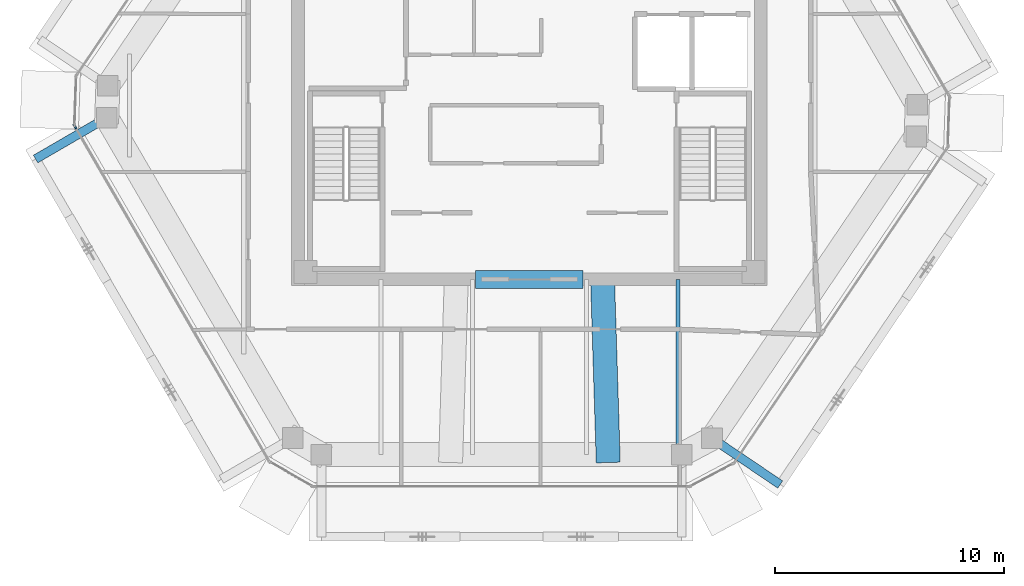
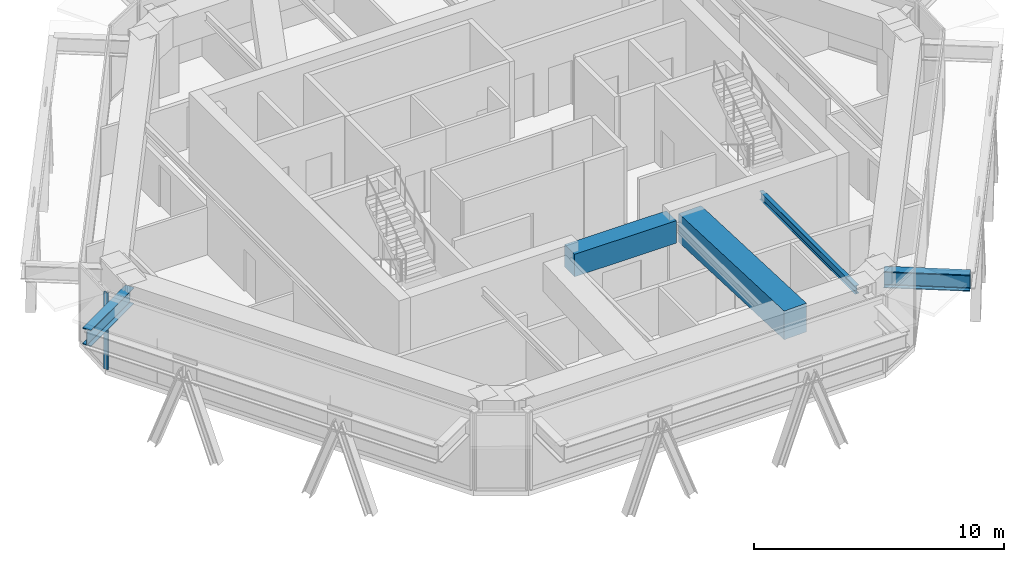
# One storey, part 3 of 13: 5 beams, 1 member, 1 element without a shape of its own.
"""IFC4 building model written with IfcOpenShell, lengths in metres."""

from ifc_helpers import new_model, si_unit, direction, frame, origin, origin_2d, place, context, subcontext, project, spatial, rectangle, i_section, extrude, source, transform, mapped, material, layer, layer_set, material_profile, profile_set, type_object, type_shapes, element, aggregate, save


model = new_model("IFC4")

# Units and contexts
model_context = context("Model", 3, precision=1e-05, world=origin(), true_north=direction((0.0, 1.0)))
body_context = subcontext(model_context, "Body", "Model", "MODEL_VIEW")
ifc_project = project(units=[si_unit("LENGTHUNIT", "METRE"), si_unit("AREAUNIT", "SQUARE_METRE"), si_unit("VOLUMEUNIT", "CUBIC_METRE"), si_unit("PLANEANGLEUNIT", "RADIAN"), si_unit("MASSUNIT", "GRAM", prefix="KILO")], contexts=[model_context])

# Site, building, storey
site_placement = place(None, origin())
site = spatial("IfcSite", under=ifc_project, at=site_placement, CompositionType="ELEMENT")
building_placement = place(site_placement, origin())
building = spatial("IfcBuilding", under=site, at=building_placement, Name="Durnholm Broadcast Tower", CompositionType="ELEMENT")
storey_placement = place(building_placement, frame((0.0, 0.0, 268.300048828125)))
storey = spatial("IfcBuildingStorey", under=building, at=storey_placement, Name="L75", CompositionType="ELEMENT", Elevation=268.300048828125)

# Beams
ifc_material_1 = material(Name="Steel ASTM A992 Grade 50", Category="steel")
ifc_material_profile_1 = material_profile(ifc_material_1, i_section(OverallWidth=0.385009765625, OverallDepth=0.802978515625, WebThickness=0.023681640625, FlangeThickness=0.0419921875, FilletRadius=0.032958984375, at=origin_2d()), Name="W30X261")
ifc_profile_set_1 = profile_set([ifc_material_profile_1], Name="Steel ASTM A992 Grade 50")
beam_type_1 = type_object("IfcBeamType", Name="BM-EXO-TIE", PredefinedType="USERDEFINED", material=ifc_profile_set_1)
shared_shape_1 = source(origin(), body_context, "Body", "SweptSolid", [
    extrude(i_section(OverallWidth=0.385009765625, OverallDepth=0.802978515625, WebThickness=0.023681640625, FlangeThickness=0.0419921875, FilletRadius=0.032958984375, at=origin_2d()), origin(), (0.0, 0.0, 1.0), 3.4560546875),
])
type_shapes(beam_type_1, [shared_shape_1])
for number, where, z_axis, x_axis, name in (
    (1, (8.110107421875, -15.161865234375, 2.99853515625), (0.828468499792, -0.560035663911, 0.0), (0.560035663911, 0.828468499792, 0.0), "L75 exoskeleton stand-off tie bracket F2.1"),
    (2, (-18.618896484375, -1.1201171875, 2.99853515625), (-0.864876013532, -0.501985538852, 0.0), (0.501985538852, -0.864876013532, 0.0), "L75 exoskeleton stand-off tie bracket F6.1"),
):
    element("IfcBeam", number, at=place(storey_placement, frame(where, z_axis=z_axis, x_axis=x_axis)), inside=storey, type_object=beam_type_1, Name=name, ObjectType="GIRDER", PredefinedType="USERDEFINED", context=body_context, shape_type="MappedRepresentation", body=[
        mapped(shared_shape_1, transform((0.0, 0.0, 0.0), x_axis=(1.0, 0.0, 0.0), y_axis=(0.0, 1.0, 0.0), z_axis=(0.0, 0.0, 1.0), scale=1.0)),
    ])
ifc_material_2 = material(Name="Concrete C70/85", Category="concrete")
ifc_material_profile_2 = material_profile(ifc_material_2, rectangle(XDim=0.800048828125, YDim=1.10009765625, at=origin_2d()), Name="RC800X1100")
ifc_profile_set_2 = profile_set([ifc_material_profile_2], Name="Concrete C70/85")
beam_type_2 = type_object("IfcBeamType", Name="BM-CB-RC1100", PredefinedType="LINTEL", material=ifc_profile_set_2)
shared_shape_2 = source(origin(), body_context, "Body", "SweptSolid", [
    extrude(rectangle(XDim=0.800048828125, YDim=1.10009765625, at=origin_2d()), origin(), (0.0, 0.0, 1.0), 4.7001953125),
])
type_shapes(beam_type_2, [shared_shape_2])
beam_1_placement = place(storey_placement, frame((-2.35009765625, -8.125, 3.195068359375), z_axis=(1.0, 0.0, 0.0), x_axis=(0.0, 1.0, 0.0)))
element("IfcBeam", 3, at=beam_1_placement, inside=storey, type_object=beam_type_2, Name="L75 south core coupling lintel beam CB-S", PredefinedType="LINTEL", context=body_context, shape_type="MappedRepresentation", body=[
    mapped(shared_shape_2, transform((0.0, 0.0, 0.0), x_axis=(1.0, 0.0, 0.0), y_axis=(0.0, 1.0, 0.0), z_axis=(0.0, 0.0, 1.0), scale=1.0)),
])
ifc_material_profile_3 = material_profile(ifc_material_1, i_section(OverallWidth=0.177734375, OverallDepth=0.40673828125, WebThickness=0.0078125, FlangeThickness=0.0126953125, FilletRadius=0.01904296875, at=origin_2d()), Name="W16X40")
ifc_profile_set_3 = profile_set([ifc_material_profile_3], Name="Steel ASTM A992 Grade 50")
beam_type_3 = type_object("IfcBeamType", Name="STL-BJ-W16X40", PredefinedType="JOIST", material=ifc_profile_set_3)
shared_shape_3 = source(origin(), body_context, "Body", "SweptSolid", [
    extrude(i_section(OverallWidth=0.177734375, OverallDepth=0.40673828125, WebThickness=0.0078125, FlangeThickness=0.0126953125, FilletRadius=0.01904296875, at=origin_2d()), origin(), (0.0, 0.0, 1.0), 7.660888671875),
])
type_shapes(beam_type_3, [shared_shape_3])
beam_2_placement = place(storey_placement, frame((6.5, -15.785888671875, 3.32666015625), z_axis=(0.0, 1.0, 0.0), x_axis=(-1.0, 0.0, 0.0)))
element("IfcBeam", 4, at=beam_2_placement, inside=storey, type_object=beam_type_3, Name="L75 secondary floor joist 7.1", PredefinedType="JOIST", context=body_context, shape_type="MappedRepresentation", body=[
    mapped(shared_shape_3, transform((0.0, 0.0, 0.0), x_axis=(1.0, 0.0, 0.0), y_axis=(0.0, 1.0, 0.0), z_axis=(0.0, 0.0, 1.0), scale=1.0)),
])
ifc_material_profile_4 = material_profile(ifc_material_2, rectangle(XDim=1.050048828125, YDim=1.39990234375, at=origin_2d()), Name="RC1050X1400")
ifc_profile_set_4 = profile_set([ifc_material_profile_4], Name="Concrete C70/85")
beam_type_4 = type_object("IfcBeamType", Name="BM-TG-RC1400", PredefinedType="USERDEFINED", material=ifc_profile_set_4)
shared_shape_4 = source(origin(), body_context, "Body", "SweptSolid", [
    extrude(rectangle(XDim=1.050048828125, YDim=1.39990234375, at=origin_2d()), origin(), (0.0, 0.0, 1.0), 8.014892578125),
])
type_shapes(beam_type_4, [shared_shape_4])
beam_3_placement = place(storey_placement, frame((3.199951171875, -8.125, 3.050048828125), z_axis=(0.031191958504, -0.999513412479, 0.0), x_axis=(0.999513412479, 0.031191958504, 0.0)))
element("IfcBeam", 5, at=beam_3_placement, inside=storey, type_object=beam_type_4, Name="L75 radial setback transfer girder 16", ObjectType="GIRDER", PredefinedType="USERDEFINED", context=body_context, shape_type="MappedRepresentation", body=[
    mapped(shared_shape_4, transform((0.0, 0.0, 0.0), x_axis=(1.0, 0.0, 0.0), y_axis=(0.0, 1.0, 0.0), z_axis=(0.0, 0.0, 1.0), scale=1.0)),
])

# Curtain wall, member
ifc_material_3 = material(Name="Aluminium and Solar Control IGU", Category="aluminium")
ifc_layer = layer(ifc_material_3, 0.219970703125)
ifc_layer_set = layer_set([ifc_layer], Name="Aluminium and Solar Control IGU")
curtain_wall_type = type_object("IfcCurtainWallType", Name="CW-SYS-6", PredefinedType="NOTDEFINED", material=ifc_layer_set)
curtain_wall_placement = place(storey_placement, origin())
curtain_wall = element("IfcCurtainWall", 6, at=curtain_wall_placement, inside=storey, type_object=curtain_wall_type, Name="L75 curtain wall CW-AMENITY CW-L75-F12", PredefinedType="NOTDEFINED")
ifc_material_4 = material(Name="Aluminium 6063-T6", Category="aluminium")
ifc_material_profile_5 = material_profile(ifc_material_4, rectangle(XDim=0.074951171875, YDim=0.219970703125, at=origin_2d()), Name="CWM75X220")
ifc_profile_set_5 = profile_set([ifc_material_profile_5], Name="Aluminium 6063-T6")
member_type = type_object("IfcMemberType", Name="CW-SYS-6-MUL", PredefinedType="MULLION", material=ifc_profile_set_5)
shared_shape_5 = source(origin(), body_context, "Body", "SweptSolid", [
    extrude(rectangle(XDim=0.074951171875, YDim=0.219970703125, at=origin_2d()), origin(), (0.0, 0.0, 1.0), 3.75),
])
type_shapes(member_type, [shared_shape_5])
member_placement = place(storey_placement, frame((-19.888427734375, -1.434814453125, 0.0), z_axis=(0.0, 0.0, 1.0), x_axis=(-0.864899883824, -0.50194441023, 0.0)))
member = element("IfcMember", 7, at=member_placement, type_object=member_type, Name="CW-AMENITY mullion 2", PredefinedType="MULLION", context=body_context, shape_type="MappedRepresentation", body=[
    mapped(shared_shape_5, transform((0.0, 0.0, 0.0), x_axis=(1.0, 0.0, 0.0), y_axis=(0.0, 1.0, 0.0), z_axis=(0.0, 0.0, 1.0), scale=1.0)),
])
aggregate(curtain_wall, [member])

save(model, "model.ifc")
